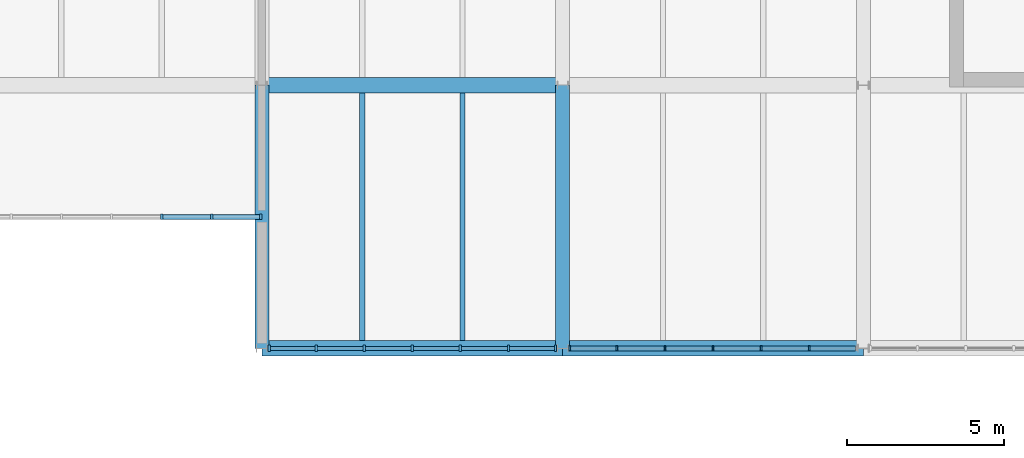
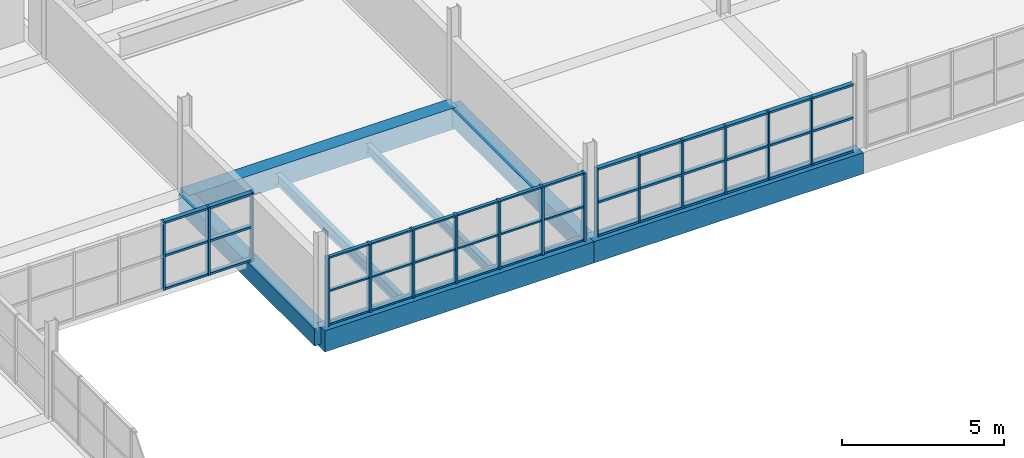
# One storey, part 41 of 147: 58 members, 7 beams, 3 elements without a shape of their own.
"""IFC4 building model written with IfcOpenShell, lengths in metres."""

from ifc_helpers import new_model, si_unit, direction, frame, origin, origin_2d, place, context, subcontext, project, spatial, rectangle, i_section, extrude, material, material_profile, profile_set, type_object, element, aggregate, save


model = new_model("IFC4")

# Units and contexts
model_context = context("Model", 3, precision=1e-05, world=origin(), true_north=direction((0.0, 1.0)))
body_context = subcontext(model_context, "Body", "Model", "MODEL_VIEW")
ifc_project = project(units=[si_unit("LENGTHUNIT", "METRE"), si_unit("AREAUNIT", "SQUARE_METRE"), si_unit("VOLUMEUNIT", "CUBIC_METRE"), si_unit("PLANEANGLEUNIT", "RADIAN"), si_unit("MASSUNIT", "GRAM", prefix="KILO")], contexts=[model_context])

# Site, building, storey
site_placement = place(None, origin())
site = spatial("IfcSite", under=ifc_project, at=site_placement, CompositionType="ELEMENT")
building_placement = place(site_placement, origin())
building = spatial("IfcBuilding", under=site, at=building_placement, Name="Oolite Switchyard Hospital", CompositionType="ELEMENT")
storey_placement = place(building_placement, frame((0.0, 0.0, 9.89990234375)))
storey = spatial("IfcBuildingStorey", under=building, at=storey_placement, Name="L02", CompositionType="ELEMENT", Elevation=9.89990234375)

# Beams
ifc_material_1 = material(Name="Concrete C40/50", Category="concrete")
ifc_material_profile_1 = material_profile(ifc_material_1, rectangle(XDim=0.449951171875, YDim=0.64990234375, at=origin_2d()), Name="RCB450X650")
ifc_profile_set_1 = profile_set([ifc_material_profile_1], Name="Concrete C40/50")
beam_type_1 = type_object("IfcBeamType", Name="BM-RC450X650", PredefinedType="BEAM", material=ifc_profile_set_1)
for number, where, z_axis, x_axis, name in (
    (1, (67.199951171875, 84.0, -0.324951171875), (0.0, 1.0, 0.0), (-1.0, 0.0, 0.0), "L02 Y-Girder 1361"),
    (2, (76.800048828125, 84.0, -0.324951171875), (0.0, 1.0, 0.0), (-1.0, 0.0, 0.0), "L02 Y-Girder 1367"),
):
    element("IfcBeam", number, at=place(storey_placement, frame(where, z_axis=z_axis, x_axis=x_axis)), inside=storey, type_object=beam_type_1, Name=name, PredefinedType="BEAM", context=body_context, shape_type="SweptSolid", body=[
        extrude(rectangle(XDim=0.449951171875, YDim=0.64990234375, at=origin_2d()), origin(), (0.0, 0.0, 1.0), 8.39990234375),
    ])
ifc_material_profile_2 = material_profile(ifc_material_1, rectangle(XDim=0.5, YDim=0.800048828125, at=origin_2d()), Name="RCB500X800")
ifc_profile_set_2 = profile_set([ifc_material_profile_2], Name="Concrete C40/50")
beam_type_2 = type_object("IfcBeamType", Name="BM-RC500X800", PredefinedType="BEAM", material=ifc_profile_set_2)
beam_1_placement = place(storey_placement, frame((67.199951171875, 84.0, -0.39990234375), z_axis=(1.0, 0.0, 0.0), x_axis=(0.0, 1.0, 0.0)))
element("IfcBeam", 3, at=beam_1_placement, inside=storey, type_object=beam_type_2, Name="L02 X-Girder 1131", PredefinedType="BEAM", context=body_context, shape_type="SweptSolid", body=[
    extrude(rectangle(XDim=0.5, YDim=0.800048828125, at=origin_2d()), origin(), (0.0, 0.0, 1.0), 9.60009765625),
])
beam_2_placement = place(storey_placement, frame((76.800048828125, 84.0, -0.39990234375), z_axis=(1.0, 0.0, 0.0), x_axis=(0.0, 1.0, 0.0)))
element("IfcBeam", 4, at=beam_2_placement, inside=storey, type_object=beam_type_2, Name="L02 X-Girder 1132", PredefinedType="BEAM", context=body_context, shape_type="SweptSolid", body=[
    extrude(rectangle(XDim=0.5, YDim=0.800048828125, at=origin_2d()), origin(), (0.0, 0.0, 1.0), 9.599853515625),
])
beam_3_placement = place(storey_placement, frame((67.199951171875, 92.39990234375, -0.39990234375), z_axis=(1.0, 0.0, 0.0), x_axis=(0.0, 1.0, 0.0)))
element("IfcBeam", 5, at=beam_3_placement, inside=storey, type_object=beam_type_2, Name="L02 X-Girder 1149", PredefinedType="BEAM", context=body_context, shape_type="SweptSolid", body=[
    extrude(rectangle(XDim=0.5, YDim=0.800048828125, at=origin_2d()), origin(), (0.0, 0.0, 1.0), 9.60009765625),
])
ifc_material_2 = material(Name="Steel ASTM A992 Grade 50", Category="steel")
ifc_material_profile_3 = material_profile(ifc_material_2, i_section(OverallWidth=0.1708984375, OverallDepth=0.35107421875, WebThickness=0.007080078125, FlangeThickness=0.010009765625, at=origin_2d()), Name="W14X30")
ifc_profile_set_3 = profile_set([ifc_material_profile_3], Name="Steel ASTM A992 Grade 50")
beam_type_3 = type_object("IfcBeamType", Name="BM-W14X30", PredefinedType="JOIST", material=ifc_profile_set_3)
beam_4_placement = place(storey_placement, frame((73.60009765625, 84.25, -0.434814453125), z_axis=(0.0, 1.0, 0.0), x_axis=(-1.0, 0.0, 0.0)))
element("IfcBeam", 6, at=beam_4_placement, inside=storey, type_object=beam_type_3, Name="L02 Secondary Steel Joist 1699", PredefinedType="JOIST", context=body_context, shape_type="SweptSolid", body=[
    extrude(i_section(OverallWidth=0.1708984375, OverallDepth=0.35107421875, WebThickness=0.007080078125, FlangeThickness=0.010009765625, at=origin_2d()), origin(), (0.0, 0.0, 1.0), 7.89990234375),
])
ifc_material_profile_4 = material_profile(ifc_material_2, i_section(OverallWidth=0.177978515625, OverallDepth=0.403076171875, WebThickness=0.008056640625, FlangeThickness=0.010986328125, at=origin_2d()), Name="W16X36")
ifc_profile_set_4 = profile_set([ifc_material_profile_4], Name="Steel ASTM A992 Grade 50")
beam_type_4 = type_object("IfcBeamType", Name="BM-W16X36", PredefinedType="JOIST", material=ifc_profile_set_4)
beam_5_placement = place(storey_placement, frame((70.39990234375, 84.25, -0.4609375), z_axis=(0.0, 1.0, 0.0), x_axis=(-1.0, 0.0, 0.0)))
element("IfcBeam", 7, at=beam_5_placement, inside=storey, type_object=beam_type_4, Name="L02 Secondary Steel Joist 1698", PredefinedType="JOIST", context=body_context, shape_type="SweptSolid", body=[
    extrude(i_section(OverallWidth=0.177978515625, OverallDepth=0.403076171875, WebThickness=0.008056640625, FlangeThickness=0.010986328125, at=origin_2d()), origin(), (0.0, 0.0, 1.0), 7.89990234375),
])

# Curtain wall, members
ifc_material_3 = material(Name="Thermally broken aluminum frame with laminated impact glazing", Category="aluminium")
curtain_wall_type = type_object("IfcCurtainWallType", Name="CW-UNIT-96X36", PredefinedType="USERDEFINED", material=ifc_material_3)
curtain_wall_1_placement = place(storey_placement, origin())
curtain_wall_1 = element("IfcCurtainWall", 8, at=curtain_wall_1_placement, inside=storey, type_object=curtain_wall_type, Name="L02 Unitised Curtain Wall 253", ObjectType="UNITISED", PredefinedType="USERDEFINED")
ifc_material_4 = material(Name="Aluminium 6063-T6", Category="aluminium")
ifc_material_profile_5 = material_profile(ifc_material_4, rectangle(XDim=0.159912109375, YDim=0.06005859375, at=origin_2d()), Name="CWM60X160")
ifc_profile_set_5 = profile_set([ifc_material_profile_5], Name="Aluminium 6063-T6")
member_type_1 = type_object("IfcMemberType", Name="CW-MUL-180", PredefinedType="MULLION", material=ifc_profile_set_5)
member_1_placement = place(storey_placement, frame((84.67138671875, 84.0, 0.0), z_axis=(0.0, 0.0, 1.0), x_axis=(0.0, -1.0, 0.0)))
member_1 = element("IfcMember", 9, at=member_1_placement, type_object=member_type_1, Name="CW-03 mullion 2", PredefinedType="MULLION", context=body_context, shape_type="SweptSolid", body=[
    extrude(rectangle(XDim=0.159912109375, YDim=0.06005859375, at=origin_2d()), origin(), (0.0, 0.0, 1.0), 2.570068359375),
])
member_2_placement = place(storey_placement, frame((83.1357421875, 84.0, 0.0), z_axis=(0.0, 0.0, 1.0), x_axis=(0.0, -1.0, 0.0)))
member_2 = element("IfcMember", 10, at=member_2_placement, type_object=member_type_1, Name="CW-03 mullion 3", PredefinedType="MULLION", context=body_context, shape_type="SweptSolid", body=[
    extrude(rectangle(XDim=0.159912109375, YDim=0.06005859375, at=origin_2d()), origin(), (0.0, 0.0, 1.0), 2.570068359375),
])
member_3_placement = place(storey_placement, frame((81.60009765625, 84.0, 0.0), z_axis=(0.0, 0.0, 1.0), x_axis=(0.0, -1.0, 0.0)))
member_3 = element("IfcMember", 11, at=member_3_placement, type_object=member_type_1, Name="CW-03 mullion 4", PredefinedType="MULLION", context=body_context, shape_type="SweptSolid", body=[
    extrude(rectangle(XDim=0.159912109375, YDim=0.06005859375, at=origin_2d()), origin(), (0.0, 0.0, 1.0), 2.570068359375),
])
member_4_placement = place(storey_placement, frame((80.064453125, 84.0, 0.0), z_axis=(0.0, 0.0, 1.0), x_axis=(0.0, -1.0, 0.0)))
member_4 = element("IfcMember", 12, at=member_4_placement, type_object=member_type_1, Name="CW-03 mullion 5", PredefinedType="MULLION", context=body_context, shape_type="SweptSolid", body=[
    extrude(rectangle(XDim=0.159912109375, YDim=0.06005859375, at=origin_2d()), origin(), (0.0, 0.0, 1.0), 2.570068359375),
])
member_5_placement = place(storey_placement, frame((78.528564453125, 84.0, 0.0), z_axis=(0.0, 0.0, 1.0), x_axis=(0.0, -1.0, 0.0)))
member_5 = element("IfcMember", 13, at=member_5_placement, type_object=member_type_1, Name="CW-03 mullion 6", PredefinedType="MULLION", context=body_context, shape_type="SweptSolid", body=[
    extrude(rectangle(XDim=0.159912109375, YDim=0.06005859375, at=origin_2d()), origin(), (0.0, 0.0, 1.0), 2.570068359375),
])
member_6_placement = place(storey_placement, frame((77.02294921875, 84.0, 0.0), z_axis=(0.0, 0.0, 1.0), x_axis=(0.0, -1.0, 0.0)))
member_6 = element("IfcMember", 14, at=member_6_placement, type_object=member_type_1, Name="CW-03 mullion 7", PredefinedType="MULLION", context=body_context, shape_type="SweptSolid", body=[
    extrude(rectangle(XDim=0.159912109375, YDim=0.06005859375, at=origin_2d()), origin(), (0.0, 0.0, 1.0), 2.570068359375),
])

curtain_wall_2_placement = place(storey_placement, origin())
curtain_wall_2 = element("IfcCurtainWall", 15, at=curtain_wall_2_placement, inside=storey, type_object=curtain_wall_type, Name="L02 Unitised Curtain Wall 257", ObjectType="UNITISED", PredefinedType="USERDEFINED")
ifc_material_profile_6 = material_profile(ifc_material_4, rectangle(XDim=0.179931640625, YDim=0.070068359375, at=origin_2d()), Name="CWM70X180")
ifc_profile_set_6 = profile_set([ifc_material_profile_6], Name="Aluminium 6063-T6")
member_type_2 = type_object("IfcMemberType", Name="CW-MUL-220", PredefinedType="MULLION", material=ifc_profile_set_6)
member_7_placement = place(storey_placement, frame((67.1650390625, 88.199951171875, 0.0), z_axis=(0.0, 0.0, 1.0), x_axis=(0.0, -1.0, 0.0)))
member_7 = element("IfcMember", 16, at=member_7_placement, type_object=member_type_2, Name="CW-03 mullion 1", PredefinedType="MULLION", context=body_context, shape_type="SweptSolid", body=[
    extrude(rectangle(XDim=0.179931640625, YDim=0.070068359375, at=origin_2d()), origin(), (0.0, 0.0, 1.0), 2.570068359375),
])
member_8_placement = place(storey_placement, frame((65.60009765625, 88.199951171875, 0.0), z_axis=(0.0, 0.0, 1.0), x_axis=(0.0, -1.0, 0.0)))
member_8 = element("IfcMember", 17, at=member_8_placement, type_object=member_type_2, Name="CW-03 mullion 2", PredefinedType="MULLION", context=body_context, shape_type="SweptSolid", body=[
    extrude(rectangle(XDim=0.179931640625, YDim=0.070068359375, at=origin_2d()), origin(), (0.0, 0.0, 1.0), 2.570068359375),
])
member_9_placement = place(storey_placement, frame((64.0, 88.199951171875, 0.0), z_axis=(0.0, 0.0, 1.0), x_axis=(0.0, -1.0, 0.0)))
member_9 = element("IfcMember", 18, at=member_9_placement, type_object=member_type_2, Name="CW-03 mullion 3", PredefinedType="MULLION", context=body_context, shape_type="SweptSolid", body=[
    extrude(rectangle(XDim=0.179931640625, YDim=0.070068359375, at=origin_2d()), origin(), (0.0, 0.0, 1.0), 2.570068359375),
])

curtain_wall_3_placement = place(storey_placement, origin())
curtain_wall_3 = element("IfcCurtainWall", 19, at=curtain_wall_3_placement, inside=storey, type_object=curtain_wall_type, Name="L02 Unitised Curtain Wall 252", ObjectType="UNITISED", PredefinedType="USERDEFINED")
ifc_material_profile_7 = material_profile(ifc_material_4, rectangle(XDim=0.199951171875, YDim=0.074951171875, at=origin_2d()), Name="CWM75X200")
ifc_profile_set_7 = profile_set([ifc_material_profile_7], Name="Aluminium 6063-T6")
member_type_3 = type_object("IfcMemberType", Name="CW-MUL-260", PredefinedType="MULLION", material=ifc_profile_set_7)
member_10_placement = place(storey_placement, frame((76.569580078125, 84.0, 0.0), z_axis=(0.0, 0.0, 1.0), x_axis=(0.0, -1.0, 0.0)))
member_10 = element("IfcMember", 20, at=member_10_placement, type_object=member_type_3, Name="CW-03 mullion 1", PredefinedType="MULLION", context=body_context, shape_type="SweptSolid", body=[
    extrude(rectangle(XDim=0.199951171875, YDim=0.074951171875, at=origin_2d()), origin(), (0.0, 0.0, 1.0), 2.570068359375),
])
member_11_placement = place(storey_placement, frame((75.0712890625, 84.0, 0.0), z_axis=(0.0, 0.0, 1.0), x_axis=(0.0, -1.0, 0.0)))
member_11 = element("IfcMember", 21, at=member_11_placement, type_object=member_type_3, Name="CW-03 mullion 2", PredefinedType="MULLION", context=body_context, shape_type="SweptSolid", body=[
    extrude(rectangle(XDim=0.199951171875, YDim=0.074951171875, at=origin_2d()), origin(), (0.0, 0.0, 1.0), 2.570068359375),
])
member_12_placement = place(storey_placement, frame((73.53564453125, 84.0, 0.0), z_axis=(0.0, 0.0, 1.0), x_axis=(0.0, -1.0, 0.0)))
member_12 = element("IfcMember", 22, at=member_12_placement, type_object=member_type_3, Name="CW-03 mullion 3", PredefinedType="MULLION", context=body_context, shape_type="SweptSolid", body=[
    extrude(rectangle(XDim=0.199951171875, YDim=0.074951171875, at=origin_2d()), origin(), (0.0, 0.0, 1.0), 2.570068359375),
])
member_13_placement = place(storey_placement, frame((72.0, 84.0, 0.0), z_axis=(0.0, 0.0, 1.0), x_axis=(0.0, -1.0, 0.0)))
member_13 = element("IfcMember", 23, at=member_13_placement, type_object=member_type_3, Name="CW-03 mullion 4", PredefinedType="MULLION", context=body_context, shape_type="SweptSolid", body=[
    extrude(rectangle(XDim=0.199951171875, YDim=0.074951171875, at=origin_2d()), origin(), (0.0, 0.0, 1.0), 2.570068359375),
])
member_14_placement = place(storey_placement, frame((70.46435546875, 84.0, 0.0), z_axis=(0.0, 0.0, 1.0), x_axis=(0.0, -1.0, 0.0)))
member_14 = element("IfcMember", 24, at=member_14_placement, type_object=member_type_3, Name="CW-03 mullion 5", PredefinedType="MULLION", context=body_context, shape_type="SweptSolid", body=[
    extrude(rectangle(XDim=0.199951171875, YDim=0.074951171875, at=origin_2d()), origin(), (0.0, 0.0, 1.0), 2.570068359375),
])
member_15_placement = place(storey_placement, frame((68.9287109375, 84.0, 0.0), z_axis=(0.0, 0.0, 1.0), x_axis=(0.0, -1.0, 0.0)))
member_15 = element("IfcMember", 25, at=member_15_placement, type_object=member_type_3, Name="CW-03 mullion 6", PredefinedType="MULLION", context=body_context, shape_type="SweptSolid", body=[
    extrude(rectangle(XDim=0.199951171875, YDim=0.074951171875, at=origin_2d()), origin(), (0.0, 0.0, 1.0), 2.570068359375),
])
member_16_placement = place(storey_placement, frame((67.430419921875, 84.0, 0.0), z_axis=(0.0, 0.0, 1.0), x_axis=(0.0, -1.0, 0.0)))
member_16 = element("IfcMember", 26, at=member_16_placement, type_object=member_type_3, Name="CW-03 mullion 7", PredefinedType="MULLION", context=body_context, shape_type="SweptSolid", body=[
    extrude(rectangle(XDim=0.199951171875, YDim=0.074951171875, at=origin_2d()), origin(), (0.0, 0.0, 1.0), 2.570068359375),
])
ifc_material_profile_8 = material_profile(ifc_material_4, rectangle(XDim=0.1201171875, YDim=0.06005859375, at=origin_2d()), Name="CWT60X120")
ifc_profile_set_8 = profile_set([ifc_material_profile_8], Name="Aluminium 6063-T6")
member_type_4 = type_object("IfcMemberType", Name="CW-TRN-150", PredefinedType="USERDEFINED", material=ifc_profile_set_8)
member_17_placement = place(storey_placement, frame((76.531982421875, 84.0, 0.030029296875), z_axis=(-1.0, 0.0, 0.0), x_axis=(0.0, -1.0, 0.0)))
member_17 = element("IfcMember", 27, at=member_17_placement, type_object=member_type_4, Name="CW-03 transom 1.1", ObjectType="TRANSOM", PredefinedType="USERDEFINED", context=body_context, shape_type="SweptSolid", body=[
    extrude(rectangle(XDim=0.1201171875, YDim=0.06005859375, at=origin_2d()), origin(), (0.0, 0.0, 1.0), 1.423095703125),
])
member_18_placement = place(storey_placement, frame((76.531982421875, 84.0, 1.28515625), z_axis=(-1.0, 0.0, 0.0), x_axis=(0.0, -1.0, 0.0)))
member_18 = element("IfcMember", 28, at=member_18_placement, type_object=member_type_4, Name="CW-03 transom 1.2", ObjectType="TRANSOM", PredefinedType="USERDEFINED", context=body_context, shape_type="SweptSolid", body=[
    extrude(rectangle(XDim=0.1201171875, YDim=0.06005859375, at=origin_2d()), origin(), (0.0, 0.0, 1.0), 1.423095703125),
])
member_19_placement = place(storey_placement, frame((76.531982421875, 84.0, 2.5400390625), z_axis=(-1.0, 0.0, 0.0), x_axis=(0.0, -1.0, 0.0)))
member_19 = element("IfcMember", 29, at=member_19_placement, type_object=member_type_4, Name="CW-03 transom 1.3", ObjectType="TRANSOM", PredefinedType="USERDEFINED", context=body_context, shape_type="SweptSolid", body=[
    extrude(rectangle(XDim=0.1201171875, YDim=0.06005859375, at=origin_2d()), origin(), (0.0, 0.0, 1.0), 1.423095703125),
])
member_20_placement = place(storey_placement, frame((75.033935546875, 84.0, 0.030029296875), z_axis=(-1.0, 0.0, 0.0), x_axis=(0.0, -1.0, 0.0)))
member_20 = element("IfcMember", 30, at=member_20_placement, type_object=member_type_4, Name="CW-03 transom 2.1", ObjectType="TRANSOM", PredefinedType="USERDEFINED", context=body_context, shape_type="SweptSolid", body=[
    extrude(rectangle(XDim=0.1201171875, YDim=0.06005859375, at=origin_2d()), origin(), (0.0, 0.0, 1.0), 1.460693359375),
])
member_21_placement = place(storey_placement, frame((75.033935546875, 84.0, 1.28515625), z_axis=(-1.0, 0.0, 0.0), x_axis=(0.0, -1.0, 0.0)))
member_21 = element("IfcMember", 31, at=member_21_placement, type_object=member_type_4, Name="CW-03 transom 2.2", ObjectType="TRANSOM", PredefinedType="USERDEFINED", context=body_context, shape_type="SweptSolid", body=[
    extrude(rectangle(XDim=0.1201171875, YDim=0.06005859375, at=origin_2d()), origin(), (0.0, 0.0, 1.0), 1.460693359375),
])
member_22_placement = place(storey_placement, frame((75.033935546875, 84.0, 2.5400390625), z_axis=(-1.0, 0.0, 0.0), x_axis=(0.0, -1.0, 0.0)))
member_22 = element("IfcMember", 32, at=member_22_placement, type_object=member_type_4, Name="CW-03 transom 2.3", ObjectType="TRANSOM", PredefinedType="USERDEFINED", context=body_context, shape_type="SweptSolid", body=[
    extrude(rectangle(XDim=0.1201171875, YDim=0.06005859375, at=origin_2d()), origin(), (0.0, 0.0, 1.0), 1.460693359375),
])
member_23_placement = place(storey_placement, frame((73.498046875, 84.0, 0.030029296875), z_axis=(-1.0, 0.0, 0.0), x_axis=(0.0, -1.0, 0.0)))
member_23 = element("IfcMember", 33, at=member_23_placement, type_object=member_type_4, Name="CW-03 transom 3.1", ObjectType="TRANSOM", PredefinedType="USERDEFINED", context=body_context, shape_type="SweptSolid", body=[
    extrude(rectangle(XDim=0.1201171875, YDim=0.06005859375, at=origin_2d()), origin(), (0.0, 0.0, 1.0), 1.46044921875),
])
member_24_placement = place(storey_placement, frame((73.498046875, 84.0, 1.28515625), z_axis=(-1.0, 0.0, 0.0), x_axis=(0.0, -1.0, 0.0)))
member_24 = element("IfcMember", 34, at=member_24_placement, type_object=member_type_4, Name="CW-03 transom 3.2", ObjectType="TRANSOM", PredefinedType="USERDEFINED", context=body_context, shape_type="SweptSolid", body=[
    extrude(rectangle(XDim=0.1201171875, YDim=0.06005859375, at=origin_2d()), origin(), (0.0, 0.0, 1.0), 1.46044921875),
])
member_25_placement = place(storey_placement, frame((73.498046875, 84.0, 2.5400390625), z_axis=(-1.0, 0.0, 0.0), x_axis=(0.0, -1.0, 0.0)))
member_25 = element("IfcMember", 35, at=member_25_placement, type_object=member_type_4, Name="CW-03 transom 3.3", ObjectType="TRANSOM", PredefinedType="USERDEFINED", context=body_context, shape_type="SweptSolid", body=[
    extrude(rectangle(XDim=0.1201171875, YDim=0.06005859375, at=origin_2d()), origin(), (0.0, 0.0, 1.0), 1.46044921875),
])
member_26_placement = place(storey_placement, frame((71.96240234375, 84.0, 0.030029296875), z_axis=(-1.0, 0.0, 0.0), x_axis=(0.0, -1.0, 0.0)))
member_26 = element("IfcMember", 36, at=member_26_placement, type_object=member_type_4, Name="CW-03 transom 4.1", ObjectType="TRANSOM", PredefinedType="USERDEFINED", context=body_context, shape_type="SweptSolid", body=[
    extrude(rectangle(XDim=0.1201171875, YDim=0.06005859375, at=origin_2d()), origin(), (0.0, 0.0, 1.0), 1.46044921875),
])
member_27_placement = place(storey_placement, frame((71.96240234375, 84.0, 1.28515625), z_axis=(-1.0, 0.0, 0.0), x_axis=(0.0, -1.0, 0.0)))
member_27 = element("IfcMember", 37, at=member_27_placement, type_object=member_type_4, Name="CW-03 transom 4.2", ObjectType="TRANSOM", PredefinedType="USERDEFINED", context=body_context, shape_type="SweptSolid", body=[
    extrude(rectangle(XDim=0.1201171875, YDim=0.06005859375, at=origin_2d()), origin(), (0.0, 0.0, 1.0), 1.46044921875),
])
member_28_placement = place(storey_placement, frame((71.96240234375, 84.0, 2.5400390625), z_axis=(-1.0, 0.0, 0.0), x_axis=(0.0, -1.0, 0.0)))
member_28 = element("IfcMember", 38, at=member_28_placement, type_object=member_type_4, Name="CW-03 transom 4.3", ObjectType="TRANSOM", PredefinedType="USERDEFINED", context=body_context, shape_type="SweptSolid", body=[
    extrude(rectangle(XDim=0.1201171875, YDim=0.06005859375, at=origin_2d()), origin(), (0.0, 0.0, 1.0), 1.46044921875),
])
member_29_placement = place(storey_placement, frame((70.4267578125, 84.0, 0.030029296875), z_axis=(-1.0, 0.0, 0.0), x_axis=(0.0, -1.0, 0.0)))
member_29 = element("IfcMember", 39, at=member_29_placement, type_object=member_type_4, Name="CW-03 transom 5.1", ObjectType="TRANSOM", PredefinedType="USERDEFINED", context=body_context, shape_type="SweptSolid", body=[
    extrude(rectangle(XDim=0.1201171875, YDim=0.06005859375, at=origin_2d()), origin(), (0.0, 0.0, 1.0), 1.460693359375),
])
member_30_placement = place(storey_placement, frame((70.4267578125, 84.0, 1.28515625), z_axis=(-1.0, 0.0, 0.0), x_axis=(0.0, -1.0, 0.0)))
member_30 = element("IfcMember", 40, at=member_30_placement, type_object=member_type_4, Name="CW-03 transom 5.2", ObjectType="TRANSOM", PredefinedType="USERDEFINED", context=body_context, shape_type="SweptSolid", body=[
    extrude(rectangle(XDim=0.1201171875, YDim=0.06005859375, at=origin_2d()), origin(), (0.0, 0.0, 1.0), 1.460693359375),
])
member_31_placement = place(storey_placement, frame((70.4267578125, 84.0, 2.5400390625), z_axis=(-1.0, 0.0, 0.0), x_axis=(0.0, -1.0, 0.0)))
member_31 = element("IfcMember", 41, at=member_31_placement, type_object=member_type_4, Name="CW-03 transom 5.3", ObjectType="TRANSOM", PredefinedType="USERDEFINED", context=body_context, shape_type="SweptSolid", body=[
    extrude(rectangle(XDim=0.1201171875, YDim=0.06005859375, at=origin_2d()), origin(), (0.0, 0.0, 1.0), 1.460693359375),
])
member_32_placement = place(storey_placement, frame((68.89111328125, 84.0, 0.030029296875), z_axis=(-1.0, 0.0, 0.0), x_axis=(0.0, -1.0, 0.0)))
member_32 = element("IfcMember", 42, at=member_32_placement, type_object=member_type_4, Name="CW-03 transom 6.1", ObjectType="TRANSOM", PredefinedType="USERDEFINED", context=body_context, shape_type="SweptSolid", body=[
    extrude(rectangle(XDim=0.1201171875, YDim=0.06005859375, at=origin_2d()), origin(), (0.0, 0.0, 1.0), 1.423095703125),
])
member_33_placement = place(storey_placement, frame((68.89111328125, 84.0, 1.28515625), z_axis=(-1.0, 0.0, 0.0), x_axis=(0.0, -1.0, 0.0)))
member_33 = element("IfcMember", 43, at=member_33_placement, type_object=member_type_4, Name="CW-03 transom 6.2", ObjectType="TRANSOM", PredefinedType="USERDEFINED", context=body_context, shape_type="SweptSolid", body=[
    extrude(rectangle(XDim=0.1201171875, YDim=0.06005859375, at=origin_2d()), origin(), (0.0, 0.0, 1.0), 1.423095703125),
])
member_34_placement = place(storey_placement, frame((68.89111328125, 84.0, 2.5400390625), z_axis=(-1.0, 0.0, 0.0), x_axis=(0.0, -1.0, 0.0)))
member_34 = element("IfcMember", 44, at=member_34_placement, type_object=member_type_4, Name="CW-03 transom 6.3", ObjectType="TRANSOM", PredefinedType="USERDEFINED", context=body_context, shape_type="SweptSolid", body=[
    extrude(rectangle(XDim=0.1201171875, YDim=0.06005859375, at=origin_2d()), origin(), (0.0, 0.0, 1.0), 1.423095703125),
])
aggregate(curtain_wall_3, [member_10, member_11, member_12, member_13, member_14, member_15, member_16, member_17, member_18, member_19, member_20, member_21, member_22, member_23, member_24, member_25, member_26, member_27, member_28, member_29, member_30, member_31, member_32, member_33, member_34])

# Member
ifc_material_profile_9 = material_profile(ifc_material_4, rectangle(XDim=0.159912109375, YDim=0.074951171875, at=origin_2d()), Name="CWT75X160")
ifc_profile_set_9 = profile_set([ifc_material_profile_9], Name="Aluminium 6063-T6")
member_type_5 = type_object("IfcMemberType", Name="CW-TRN-180", PredefinedType="USERDEFINED", material=ifc_profile_set_9)
member_35_placement = place(storey_placement, frame((86.14697265625, 84.0, 0.03759765625), z_axis=(-1.0, 0.0, 0.0), x_axis=(0.0, -1.0, 0.0)))
member_35 = element("IfcMember", 45, at=member_35_placement, type_object=member_type_5, Name="CW-03 transom 1.1", ObjectType="TRANSOM", PredefinedType="USERDEFINED", context=body_context, shape_type="SweptSolid", body=[
    extrude(rectangle(XDim=0.159912109375, YDim=0.074951171875, at=origin_2d()), origin(), (0.0, 0.0, 1.0), 1.445556640625),
])

member_36_placement = place(storey_placement, frame((86.14697265625, 84.0, 1.28515625), z_axis=(-1.0, 0.0, 0.0), x_axis=(0.0, -1.0, 0.0)))
member_36 = element("IfcMember", 46, at=member_36_placement, type_object=member_type_5, Name="CW-03 transom 1.2", ObjectType="TRANSOM", PredefinedType="USERDEFINED", context=body_context, shape_type="SweptSolid", body=[
    extrude(rectangle(XDim=0.159912109375, YDim=0.074951171875, at=origin_2d()), origin(), (0.0, 0.0, 1.0), 1.445556640625),
])

member_37_placement = place(storey_placement, frame((86.14697265625, 84.0, 2.53271484375), z_axis=(-1.0, 0.0, 0.0), x_axis=(0.0, -1.0, 0.0)))
member_37 = element("IfcMember", 47, at=member_37_placement, type_object=member_type_5, Name="CW-03 transom 1.3", ObjectType="TRANSOM", PredefinedType="USERDEFINED", context=body_context, shape_type="SweptSolid", body=[
    extrude(rectangle(XDim=0.159912109375, YDim=0.074951171875, at=origin_2d()), origin(), (0.0, 0.0, 1.0), 1.445556640625),
])

member_38_placement = place(storey_placement, frame((84.641357421875, 84.0, 0.03759765625), z_axis=(-1.0, 0.0, 0.0), x_axis=(0.0, -1.0, 0.0)))
member_38 = element("IfcMember", 48, at=member_38_placement, type_object=member_type_5, Name="CW-03 transom 2.1", ObjectType="TRANSOM", PredefinedType="USERDEFINED", context=body_context, shape_type="SweptSolid", body=[
    extrude(rectangle(XDim=0.159912109375, YDim=0.074951171875, at=origin_2d()), origin(), (0.0, 0.0, 1.0), 1.4755859375),
])

member_39_placement = place(storey_placement, frame((84.641357421875, 84.0, 1.28515625), z_axis=(-1.0, 0.0, 0.0), x_axis=(0.0, -1.0, 0.0)))
member_39 = element("IfcMember", 49, at=member_39_placement, type_object=member_type_5, Name="CW-03 transom 2.2", ObjectType="TRANSOM", PredefinedType="USERDEFINED", context=body_context, shape_type="SweptSolid", body=[
    extrude(rectangle(XDim=0.159912109375, YDim=0.074951171875, at=origin_2d()), origin(), (0.0, 0.0, 1.0), 1.4755859375),
])

member_40_placement = place(storey_placement, frame((84.641357421875, 84.0, 2.53271484375), z_axis=(-1.0, 0.0, 0.0), x_axis=(0.0, -1.0, 0.0)))
member_40 = element("IfcMember", 50, at=member_40_placement, type_object=member_type_5, Name="CW-03 transom 2.3", ObjectType="TRANSOM", PredefinedType="USERDEFINED", context=body_context, shape_type="SweptSolid", body=[
    extrude(rectangle(XDim=0.159912109375, YDim=0.074951171875, at=origin_2d()), origin(), (0.0, 0.0, 1.0), 1.4755859375),
])

member_41_placement = place(storey_placement, frame((83.105712890625, 84.0, 0.03759765625), z_axis=(-1.0, 0.0, 0.0), x_axis=(0.0, -1.0, 0.0)))
member_41 = element("IfcMember", 51, at=member_41_placement, type_object=member_type_5, Name="CW-03 transom 3.1", ObjectType="TRANSOM", PredefinedType="USERDEFINED", context=body_context, shape_type="SweptSolid", body=[
    extrude(rectangle(XDim=0.159912109375, YDim=0.074951171875, at=origin_2d()), origin(), (0.0, 0.0, 1.0), 1.475830078125),
])

member_42_placement = place(storey_placement, frame((83.105712890625, 84.0, 1.28515625), z_axis=(-1.0, 0.0, 0.0), x_axis=(0.0, -1.0, 0.0)))
member_42 = element("IfcMember", 52, at=member_42_placement, type_object=member_type_5, Name="CW-03 transom 3.2", ObjectType="TRANSOM", PredefinedType="USERDEFINED", context=body_context, shape_type="SweptSolid", body=[
    extrude(rectangle(XDim=0.159912109375, YDim=0.074951171875, at=origin_2d()), origin(), (0.0, 0.0, 1.0), 1.475830078125),
])

member_43_placement = place(storey_placement, frame((83.105712890625, 84.0, 2.53271484375), z_axis=(-1.0, 0.0, 0.0), x_axis=(0.0, -1.0, 0.0)))
member_43 = element("IfcMember", 53, at=member_43_placement, type_object=member_type_5, Name="CW-03 transom 3.3", ObjectType="TRANSOM", PredefinedType="USERDEFINED", context=body_context, shape_type="SweptSolid", body=[
    extrude(rectangle(XDim=0.159912109375, YDim=0.074951171875, at=origin_2d()), origin(), (0.0, 0.0, 1.0), 1.475830078125),
])

member_44_placement = place(storey_placement, frame((81.570068359375, 84.0, 0.03759765625), z_axis=(-1.0, 0.0, 0.0), x_axis=(0.0, -1.0, 0.0)))
member_44 = element("IfcMember", 54, at=member_44_placement, type_object=member_type_5, Name="CW-03 transom 4.1", ObjectType="TRANSOM", PredefinedType="USERDEFINED", context=body_context, shape_type="SweptSolid", body=[
    extrude(rectangle(XDim=0.159912109375, YDim=0.074951171875, at=origin_2d()), origin(), (0.0, 0.0, 1.0), 1.475830078125),
])

member_45_placement = place(storey_placement, frame((81.570068359375, 84.0, 1.28515625), z_axis=(-1.0, 0.0, 0.0), x_axis=(0.0, -1.0, 0.0)))
member_45 = element("IfcMember", 55, at=member_45_placement, type_object=member_type_5, Name="CW-03 transom 4.2", ObjectType="TRANSOM", PredefinedType="USERDEFINED", context=body_context, shape_type="SweptSolid", body=[
    extrude(rectangle(XDim=0.159912109375, YDim=0.074951171875, at=origin_2d()), origin(), (0.0, 0.0, 1.0), 1.475830078125),
])

member_46_placement = place(storey_placement, frame((81.570068359375, 84.0, 2.53271484375), z_axis=(-1.0, 0.0, 0.0), x_axis=(0.0, -1.0, 0.0)))
member_46 = element("IfcMember", 56, at=member_46_placement, type_object=member_type_5, Name="CW-03 transom 4.3", ObjectType="TRANSOM", PredefinedType="USERDEFINED", context=body_context, shape_type="SweptSolid", body=[
    extrude(rectangle(XDim=0.159912109375, YDim=0.074951171875, at=origin_2d()), origin(), (0.0, 0.0, 1.0), 1.475830078125),
])

member_47_placement = place(storey_placement, frame((80.034423828125, 84.0, 0.03759765625), z_axis=(-1.0, 0.0, 0.0), x_axis=(0.0, -1.0, 0.0)))
member_47 = element("IfcMember", 57, at=member_47_placement, type_object=member_type_5, Name="CW-03 transom 5.1", ObjectType="TRANSOM", PredefinedType="USERDEFINED", context=body_context, shape_type="SweptSolid", body=[
    extrude(rectangle(XDim=0.159912109375, YDim=0.074951171875, at=origin_2d()), origin(), (0.0, 0.0, 1.0), 1.475830078125),
])

member_48_placement = place(storey_placement, frame((80.034423828125, 84.0, 1.28515625), z_axis=(-1.0, 0.0, 0.0), x_axis=(0.0, -1.0, 0.0)))
member_48 = element("IfcMember", 58, at=member_48_placement, type_object=member_type_5, Name="CW-03 transom 5.2", ObjectType="TRANSOM", PredefinedType="USERDEFINED", context=body_context, shape_type="SweptSolid", body=[
    extrude(rectangle(XDim=0.159912109375, YDim=0.074951171875, at=origin_2d()), origin(), (0.0, 0.0, 1.0), 1.475830078125),
])

member_49_placement = place(storey_placement, frame((80.034423828125, 84.0, 2.53271484375), z_axis=(-1.0, 0.0, 0.0), x_axis=(0.0, -1.0, 0.0)))
member_49 = element("IfcMember", 59, at=member_49_placement, type_object=member_type_5, Name="CW-03 transom 5.3", ObjectType="TRANSOM", PredefinedType="USERDEFINED", context=body_context, shape_type="SweptSolid", body=[
    extrude(rectangle(XDim=0.159912109375, YDim=0.074951171875, at=origin_2d()), origin(), (0.0, 0.0, 1.0), 1.475830078125),
])

member_50_placement = place(storey_placement, frame((78.498779296875, 84.0, 0.03759765625), z_axis=(-1.0, 0.0, 0.0), x_axis=(0.0, -1.0, 0.0)))
member_50 = element("IfcMember", 60, at=member_50_placement, type_object=member_type_5, Name="CW-03 transom 6.1", ObjectType="TRANSOM", PredefinedType="USERDEFINED", context=body_context, shape_type="SweptSolid", body=[
    extrude(rectangle(XDim=0.159912109375, YDim=0.074951171875, at=origin_2d()), origin(), (0.0, 0.0, 1.0), 1.44580078125),
])

member_51_placement = place(storey_placement, frame((78.498779296875, 84.0, 1.28515625), z_axis=(-1.0, 0.0, 0.0), x_axis=(0.0, -1.0, 0.0)))
member_51 = element("IfcMember", 61, at=member_51_placement, type_object=member_type_5, Name="CW-03 transom 6.2", ObjectType="TRANSOM", PredefinedType="USERDEFINED", context=body_context, shape_type="SweptSolid", body=[
    extrude(rectangle(XDim=0.159912109375, YDim=0.074951171875, at=origin_2d()), origin(), (0.0, 0.0, 1.0), 1.44580078125),
])

member_52_placement = place(storey_placement, frame((78.498779296875, 84.0, 2.53271484375), z_axis=(-1.0, 0.0, 0.0), x_axis=(0.0, -1.0, 0.0)))
member_52 = element("IfcMember", 62, at=member_52_placement, type_object=member_type_5, Name="CW-03 transom 6.3", ObjectType="TRANSOM", PredefinedType="USERDEFINED", context=body_context, shape_type="SweptSolid", body=[
    extrude(rectangle(XDim=0.159912109375, YDim=0.074951171875, at=origin_2d()), origin(), (0.0, 0.0, 1.0), 1.44580078125),
])

aggregate(curtain_wall_1, [member_1, member_2, member_3, member_4, member_5, member_6, member_35, member_36, member_37, member_38, member_39, member_40, member_41, member_42, member_43, member_44, member_45, member_46, member_47, member_48, member_49, member_50, member_51, member_52])

member_53_placement = place(storey_placement, frame((67.1298828125, 88.199951171875, 0.03759765625), z_axis=(-1.0, 0.0, 0.0), x_axis=(0.0, -1.0, 0.0)))
member_53 = element("IfcMember", 63, at=member_53_placement, type_object=member_type_5, Name="CW-03 transom 1.1", ObjectType="TRANSOM", PredefinedType="USERDEFINED", context=body_context, shape_type="SweptSolid", body=[
    extrude(rectangle(XDim=0.159912109375, YDim=0.074951171875, at=origin_2d()), origin(), (0.0, 0.0, 1.0), 1.494873046875),
])

member_54_placement = place(storey_placement, frame((67.1298828125, 88.199951171875, 1.28515625), z_axis=(-1.0, 0.0, 0.0), x_axis=(0.0, -1.0, 0.0)))
member_54 = element("IfcMember", 64, at=member_54_placement, type_object=member_type_5, Name="CW-03 transom 1.2", ObjectType="TRANSOM", PredefinedType="USERDEFINED", context=body_context, shape_type="SweptSolid", body=[
    extrude(rectangle(XDim=0.159912109375, YDim=0.074951171875, at=origin_2d()), origin(), (0.0, 0.0, 1.0), 1.494873046875),
])

member_55_placement = place(storey_placement, frame((67.1298828125, 88.199951171875, 2.53271484375), z_axis=(-1.0, 0.0, 0.0), x_axis=(0.0, -1.0, 0.0)))
member_55 = element("IfcMember", 65, at=member_55_placement, type_object=member_type_5, Name="CW-03 transom 1.3", ObjectType="TRANSOM", PredefinedType="USERDEFINED", context=body_context, shape_type="SweptSolid", body=[
    extrude(rectangle(XDim=0.159912109375, YDim=0.074951171875, at=origin_2d()), origin(), (0.0, 0.0, 1.0), 1.494873046875),
])

member_56_placement = place(storey_placement, frame((65.56494140625, 88.199951171875, 0.03759765625), z_axis=(-1.0, 0.0, 0.0), x_axis=(0.0, -1.0, 0.0)))
member_56 = element("IfcMember", 66, at=member_56_placement, type_object=member_type_5, Name="CW-03 transom 2.1", ObjectType="TRANSOM", PredefinedType="USERDEFINED", context=body_context, shape_type="SweptSolid", body=[
    extrude(rectangle(XDim=0.159912109375, YDim=0.074951171875, at=origin_2d()), origin(), (0.0, 0.0, 1.0), 1.530029296875),
])

member_57_placement = place(storey_placement, frame((65.56494140625, 88.199951171875, 1.28515625), z_axis=(-1.0, 0.0, 0.0), x_axis=(0.0, -1.0, 0.0)))
member_57 = element("IfcMember", 67, at=member_57_placement, type_object=member_type_5, Name="CW-03 transom 2.2", ObjectType="TRANSOM", PredefinedType="USERDEFINED", context=body_context, shape_type="SweptSolid", body=[
    extrude(rectangle(XDim=0.159912109375, YDim=0.074951171875, at=origin_2d()), origin(), (0.0, 0.0, 1.0), 1.530029296875),
])

member_58_placement = place(storey_placement, frame((65.56494140625, 88.199951171875, 2.53271484375), z_axis=(-1.0, 0.0, 0.0), x_axis=(0.0, -1.0, 0.0)))
member_58 = element("IfcMember", 68, at=member_58_placement, type_object=member_type_5, Name="CW-03 transom 2.3", ObjectType="TRANSOM", PredefinedType="USERDEFINED", context=body_context, shape_type="SweptSolid", body=[
    extrude(rectangle(XDim=0.159912109375, YDim=0.074951171875, at=origin_2d()), origin(), (0.0, 0.0, 1.0), 1.530029296875),
])

aggregate(curtain_wall_2, [member_7, member_8, member_9, member_53, member_54, member_55, member_56, member_57, member_58])

save(model, "model.ifc")
